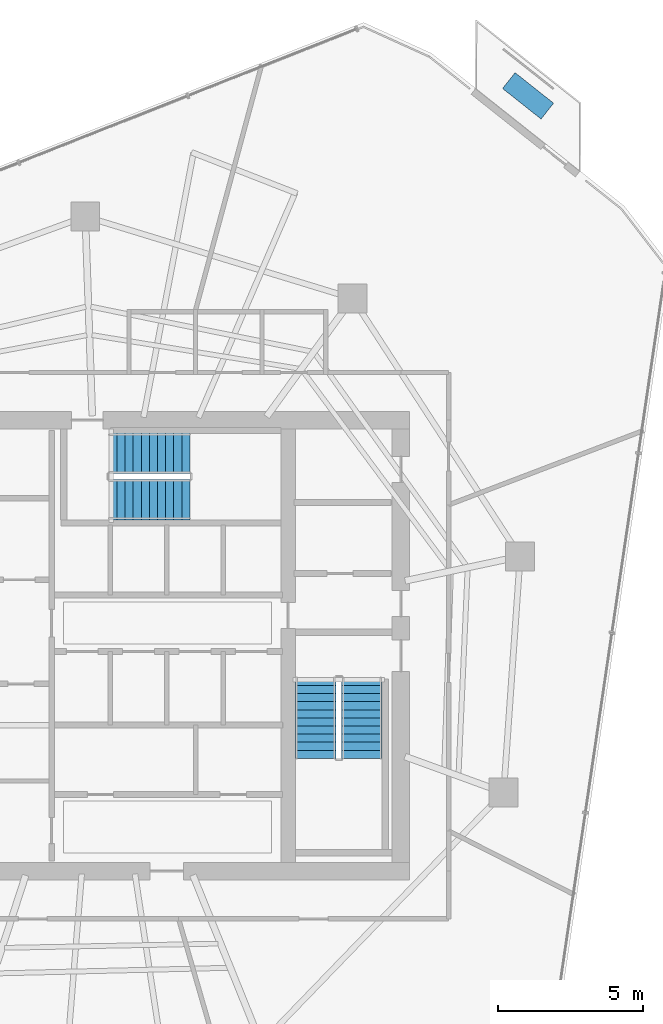
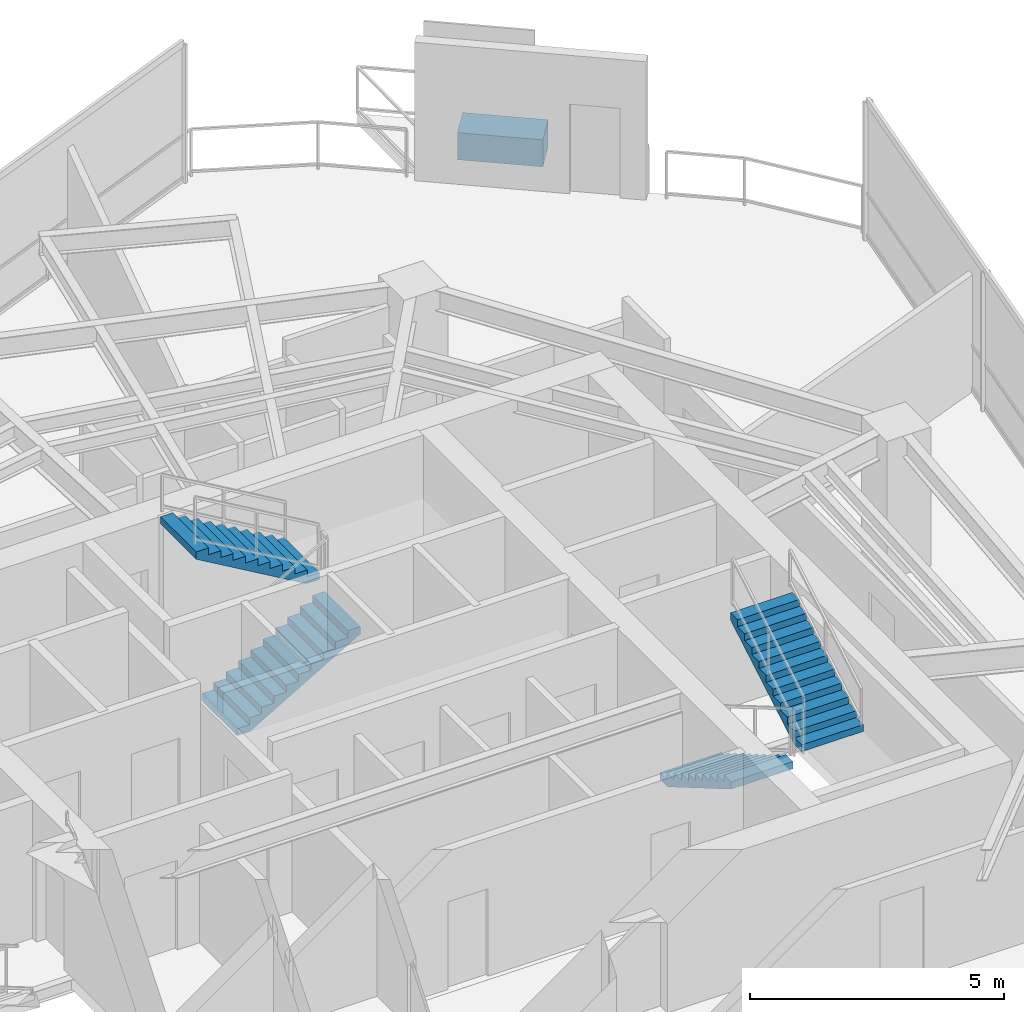
# One storey, part 18 of 20: 4 stair flights, 1 discrete accessory, 2 elements without a shape of their own.
"""IFC4 building model written with IfcOpenShell, lengths in metres."""

from ifc_helpers import new_model, si_unit, direction, frame, origin, origin_2d, place, context, subcontext, project, spatial, polyline, rectangle, outline, extrude, material, type_object, element, aggregate, save


model = new_model("IFC4")

# Units and contexts
model_context = context("Model", 3, precision=1e-05, world=origin(), true_north=direction((0.0, 1.0)))
body_context = subcontext(model_context, "Body", "Model", "MODEL_VIEW")
ifc_project = project(units=[si_unit("LENGTHUNIT", "METRE"), si_unit("AREAUNIT", "SQUARE_METRE"), si_unit("VOLUMEUNIT", "CUBIC_METRE"), si_unit("PLANEANGLEUNIT", "RADIAN"), si_unit("MASSUNIT", "GRAM", prefix="KILO")], contexts=[model_context])

# Site, building, storey
site_placement = place(None, origin())
site = spatial("IfcSite", under=ifc_project, at=site_placement, CompositionType="ELEMENT")
building_placement = place(site_placement, origin())
building = spatial("IfcBuilding", under=site, at=building_placement, Name="Qarnah Convention Tower", CompositionType="ELEMENT")
storey_placement = place(building_placement, frame((0.0, 0.0, 147.300048828125)))
storey = spatial("IfcBuildingStorey", under=building, at=storey_placement, Name="L39", CompositionType="ELEMENT", Elevation=147.300048828125)

# Stair, stair flights
ifc_material_1 = material(Name="Concrete C50/60", Category="concrete")
stair_type = type_object("IfcStairType", Name="STR-OFF", PredefinedType="HALF_TURN_STAIR", material=ifc_material_1)
stair_1_placement = place(storey_placement, origin())
stair_1 = element("IfcStair", 1, at=stair_1_placement, inside=storey, type_object=stair_type, Name="L39 Core exit stair ST-2", PredefinedType="HALF_TURN_STAIR")
stair_flight_type = type_object("IfcStairFlightType", Name="FLT-OFF", PredefinedType="STRAIGHT", material=ifc_material_1)
stair_flight_1_placement = place(storey_placement, frame((44.64990234375, 25.300048828125, 0.0), z_axis=(0.0, 0.0, 1.0), x_axis=(0.0, -1.0, 0.0)))
stair_flight_1 = element("IfcStairFlight", 2, at=stair_flight_1_placement, type_object=stair_flight_type, Name="ST-2 flight 1", NumberOfRisers=11, NumberOfTreads=10, PredefinedType="STRAIGHT", RiserHeight=0.163636364, TreadLength=0.28, context=body_context, shape_type="SweptSolid", body=[
    extrude(outline(polyline([(0.0, 0.0), (0.0, 0.16357421875), (0.280029296875, 0.16357421875), (0.280029296875, 0.327392578125), (0.56005859375, 0.327392578125), (0.56005859375, 0.490966796875), (0.840087890625, 0.490966796875), (0.840087890625, 0.654541015625), (1.1201171875, 0.654541015625), (1.1201171875, 0.818115234375), (1.39990234375, 0.818115234375), (1.39990234375, 0.98193359375), (1.679931640625, 0.98193359375), (1.679931640625, 1.1455078125), (1.9599609375, 1.1455078125), (1.9599609375, 1.30908203125), (2.239990234375, 1.30908203125), (2.239990234375, 1.47265625), (2.52001953125, 1.47265625), (2.52001953125, 1.636474609375), (2.800048828125, 1.636474609375), (2.800048828125, 1.800048828125), (2.800048828125, 1.462646484375), (0.297119140625, 0.0), (0.0, 0.0)])), frame((0.0, 0.699951171875, 0.0), z_axis=(0.0, -1.0, 0.0), x_axis=(1.0, 0.0, 0.0)), (0.0, 0.0, 1.0), 1.39990234375),
])
stair_flight_2_placement = place(storey_placement, frame((46.25, 22.5, 1.800048828125), z_axis=(0.0, 0.0, 1.0), x_axis=(0.0, 1.0, 0.0)))
stair_flight_2 = element("IfcStairFlight", 3, at=stair_flight_2_placement, type_object=stair_flight_type, Name="ST-2 flight 2", NumberOfRisers=11, NumberOfTreads=10, PredefinedType="STRAIGHT", RiserHeight=0.163636364, TreadLength=0.28, context=body_context, shape_type="SweptSolid", body=[
    extrude(outline(polyline([(0.0, 0.0), (0.0, 0.16357421875), (0.280029296875, 0.16357421875), (0.280029296875, 0.327392578125), (0.56005859375, 0.327392578125), (0.56005859375, 0.490966796875), (0.840087890625, 0.490966796875), (0.840087890625, 0.654541015625), (1.1201171875, 0.654541015625), (1.1201171875, 0.818115234375), (1.39990234375, 0.818115234375), (1.39990234375, 0.98193359375), (1.679931640625, 0.98193359375), (1.679931640625, 1.1455078125), (1.9599609375, 1.1455078125), (1.9599609375, 1.30908203125), (2.239990234375, 1.30908203125), (2.239990234375, 1.47265625), (2.52001953125, 1.47265625), (2.52001953125, 1.636474609375), (2.800048828125, 1.636474609375), (2.800048828125, 1.800048828125), (2.800048828125, 1.462646484375), (0.297119140625, 0.0), (0.0, 0.0)])), frame((0.0, 0.699951171875, 0.0), z_axis=(0.0, -1.0, 0.0), x_axis=(1.0, 0.0, 0.0)), (0.0, 0.0, 1.0), 1.39990234375),
])
aggregate(stair_1, [stair_flight_1, stair_flight_2])

stair_2_placement = place(storey_placement, origin())
stair_2 = element("IfcStair", 4, at=stair_2_placement, inside=storey, type_object=stair_type, Name="L39 Core exit stair ST-3", PredefinedType="HALF_TURN_STAIR")
stair_flight_3_placement = place(storey_placement, frame((37.5, 31.449951171875, 0.0), z_axis=(0.0, 0.0, 1.0), x_axis=(1.0, 0.0, 0.0)))
stair_flight_3 = element("IfcStairFlight", 5, at=stair_flight_3_placement, type_object=stair_flight_type, Name="ST-3 flight 1", NumberOfRisers=11, NumberOfTreads=10, PredefinedType="STRAIGHT", RiserHeight=0.163636364, TreadLength=0.28, context=body_context, shape_type="SweptSolid", body=[
    extrude(outline(polyline([(0.0, 0.0), (0.0, 0.16357421875), (0.280029296875, 0.16357421875), (0.280029296875, 0.327392578125), (0.56005859375, 0.327392578125), (0.56005859375, 0.490966796875), (0.840087890625, 0.490966796875), (0.840087890625, 0.654541015625), (1.1201171875, 0.654541015625), (1.1201171875, 0.818115234375), (1.39990234375, 0.818115234375), (1.39990234375, 0.98193359375), (1.679931640625, 0.98193359375), (1.679931640625, 1.1455078125), (1.9599609375, 1.1455078125), (1.9599609375, 1.30908203125), (2.239990234375, 1.30908203125), (2.239990234375, 1.47265625), (2.52001953125, 1.47265625), (2.52001953125, 1.636474609375), (2.800048828125, 1.636474609375), (2.800048828125, 1.800048828125), (2.800048828125, 1.462646484375), (0.297119140625, 0.0), (0.0, 0.0)])), frame((0.0, 0.699951171875, 0.0), z_axis=(0.0, -1.0, 0.0), x_axis=(1.0, 0.0, 0.0)), (0.0, 0.0, 1.0), 1.39990234375),
])
stair_flight_4_placement = place(storey_placement, frame((40.300048828125, 33.050048828125, 1.800048828125), z_axis=(0.0, 0.0, 1.0), x_axis=(-1.0, 0.0, 0.0)))
stair_flight_4 = element("IfcStairFlight", 6, at=stair_flight_4_placement, type_object=stair_flight_type, Name="ST-3 flight 2", NumberOfRisers=11, NumberOfTreads=10, PredefinedType="STRAIGHT", RiserHeight=0.163636364, TreadLength=0.28, context=body_context, shape_type="SweptSolid", body=[
    extrude(outline(polyline([(0.0, 0.0), (0.0, 0.16357421875), (0.280029296875, 0.16357421875), (0.280029296875, 0.327392578125), (0.56005859375, 0.327392578125), (0.56005859375, 0.490966796875), (0.840087890625, 0.490966796875), (0.840087890625, 0.654541015625), (1.1201171875, 0.654541015625), (1.1201171875, 0.818115234375), (1.39990234375, 0.818115234375), (1.39990234375, 0.98193359375), (1.679931640625, 0.98193359375), (1.679931640625, 1.1455078125), (1.9599609375, 1.1455078125), (1.9599609375, 1.30908203125), (2.239990234375, 1.30908203125), (2.239990234375, 1.47265625), (2.52001953125, 1.47265625), (2.52001953125, 1.636474609375), (2.800048828125, 1.636474609375), (2.800048828125, 1.800048828125), (2.800048828125, 1.462646484375), (0.297119140625, 0.0), (0.0, 0.0)])), frame((0.0, 0.699951171875, 0.0), z_axis=(0.0, -1.0, 0.0), x_axis=(1.0, 0.0, 0.0)), (0.0, 0.0, 1.0), 1.39990234375),
])
aggregate(stair_2, [stair_flight_3, stair_flight_4])

# Discrete accessory
ifc_material_2 = material(Name="Precast concrete C45/55", Category="concrete")
discrete_accessory_type = type_object("IfcDiscreteAccessoryType", Name="ACC-PLANTER-900", PredefinedType="USERDEFINED", material=ifc_material_2)
discrete_accessory_placement = place(storey_placement, frame((51.9990234375, 45.41796875, 0.0), z_axis=(0.0, 0.0, 1.0), x_axis=(-0.783693457326, 0.621147780278, 0.0)))
element("IfcDiscreteAccessory", 7, at=discrete_accessory_placement, inside=storey, type_object=discrete_accessory_type, Name="L39 irrigated desert balcony PLANTER BAL-L39-C1", ObjectType="PLANTER", PredefinedType="USERDEFINED", context=body_context, shape_type="SweptSolid", body=[
    extrude(rectangle(XDim=1.699951171875, YDim=0.699951171875, at=origin_2d()), origin(), (0.0, 0.0, 1.0), 0.64990234375),
])

save(model, "model.ifc")
